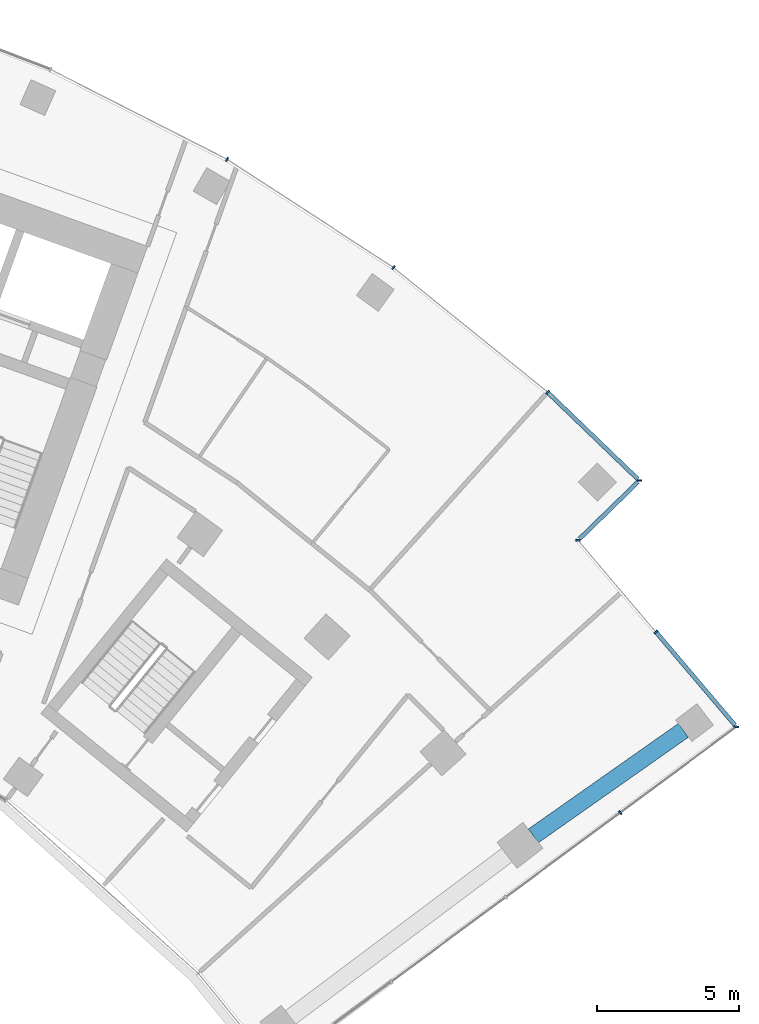
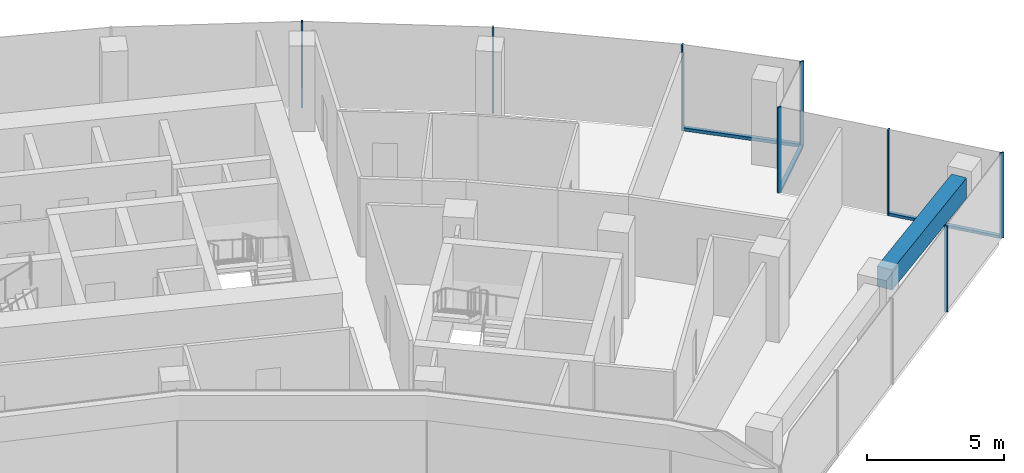
# One storey, part 8 of 19: 11 members, 1 beam, 4 elements without a shape of their own.
"""IFC4 building model written with IfcOpenShell, lengths in metres."""

from ifc_helpers import new_model, si_unit, direction, frame, origin, origin_2d, place, context, subcontext, project, spatial, rectangle, extrude, material, layer, layer_set, material_profile, profile_set, type_object, element, aggregate, save


model = new_model("IFC4")

# Units and contexts
model_context = context("Model", 3, precision=1e-05, world=origin(), true_north=direction((0.0, 1.0)))
body_context = subcontext(model_context, "Body", "Model", "MODEL_VIEW")
ifc_project = project(units=[si_unit("LENGTHUNIT", "METRE"), si_unit("AREAUNIT", "SQUARE_METRE"), si_unit("VOLUMEUNIT", "CUBIC_METRE"), si_unit("PLANEANGLEUNIT", "RADIAN"), si_unit("MASSUNIT", "GRAM", prefix="KILO")], contexts=[model_context])

# Site, building, storey
site_placement = place(None, origin())
site = spatial("IfcSite", under=ifc_project, at=site_placement, CompositionType="ELEMENT")
building_placement = place(site_placement, origin())
building = spatial("IfcBuilding", under=site, at=building_placement, Name="Stone Belt Terrace Tower", CompositionType="ELEMENT")
storey_placement = place(building_placement, frame((0.0, 0.0, 227.60009765625)))
storey = spatial("IfcBuildingStorey", under=building, at=storey_placement, Name="L55", CompositionType="ELEMENT", Elevation=227.60009765625)

# Curtain wall, members
ifc_material_1 = material(Name="Aluminium 6063-T6 anodised frame", Category="aluminium")
ifc_layer_1 = layer(ifc_material_1, 0.14990234375)
ifc_layer_set_1 = layer_set([ifc_layer_1], Name="CW-A unitised convex-face curtain wall")
curtain_wall_type_1 = type_object("IfcCurtainWallType", Name="CW-A unitised convex-face curtain wall", PredefinedType="NOTDEFINED", material=ifc_layer_set_1)
curtain_wall_1_placement = place(storey_placement, origin())
curtain_wall_1 = element("IfcCurtainWall", 1, at=curtain_wall_1_placement, inside=storey, type_object=curtain_wall_type_1, Name="CW-A convex face L55", PredefinedType="NOTDEFINED")
ifc_material_profile_1 = material_profile(ifc_material_1, rectangle(XDim=0.14990234375, YDim=0.06005859375, at=origin_2d()), Name="Aluminium 6063-T6 60x150")
ifc_profile_set_1 = profile_set([ifc_material_profile_1], Name="Aluminium 6063-T6 anodised frame")
member_type_1 = type_object("IfcMemberType", Name="CW-A mullion 60 x 150", PredefinedType="MULLION", material=ifc_profile_set_1)
member_1_placement = place(storey_placement, frame((47.775390625, 46.369140625, 0.0), z_axis=(0.0, 0.0, 1.0), x_axis=(-0.999996264646, -0.002733257028, 0.0)))
member_1 = element("IfcMember", 2, at=member_1_placement, type_object=member_type_1, Name="CW-A mullion 1", PredefinedType="MULLION", context=body_context, shape_type="SweptSolid", body=[
    extrude(rectangle(XDim=0.14990234375, YDim=0.06005859375, at=origin_2d()), origin(), (0.0, 0.0, 1.0), 3.7998046875),
])
member_2_placement = place(storey_placement, frame((44.546875, 49.475341796875, 0.0), z_axis=(0.0, 0.0, 1.0), x_axis=(-0.661937409618, -0.749559114245, 0.0)))
member_2 = element("IfcMember", 3, at=member_2_placement, type_object=member_type_1, Name="CW-A mullion 2", PredefinedType="MULLION", context=body_context, shape_type="SweptSolid", body=[
    extrude(rectangle(XDim=0.14990234375, YDim=0.06005859375, at=origin_2d()), origin(), (0.0, 0.0, 1.0), 3.7998046875),
])
member_3_placement = place(storey_placement, frame((39.1318359375, 53.8603515625, 0.0), z_axis=(0.0, 0.0, 1.0), x_axis=(-0.587785252292, -0.809016994375, 0.0)))
member_3 = element("IfcMember", 4, at=member_3_placement, type_object=member_type_1, Name="CW-A mullion 3", PredefinedType="MULLION", context=body_context, shape_type="SweptSolid", body=[
    extrude(rectangle(XDim=0.14990234375, YDim=0.06005859375, at=origin_2d()), origin(), (0.0, 0.0, 1.0), 3.7998046875),
])
member_4_placement = place(storey_placement, frame((33.28759765625, 57.65576171875, 0.0), z_axis=(0.0, 0.0, 1.0), x_axis=(-0.5, -0.866025403784, 0.0)))
member_4 = element("IfcMember", 5, at=member_4_placement, type_object=member_type_1, Name="CW-A mullion 4", PredefinedType="MULLION", context=body_context, shape_type="SweptSolid", body=[
    extrude(rectangle(XDim=0.14990234375, YDim=0.06005859375, at=origin_2d()), origin(), (0.0, 0.0, 1.0), 3.7998046875),
])
ifc_material_profile_2 = material_profile(ifc_material_1, rectangle(XDim=0.14990234375, YDim=0.139892578125, at=origin_2d()), Name="Aluminium 6063-T6 150x140")
ifc_profile_set_2 = profile_set([ifc_material_profile_2], Name="Aluminium 6063-T6 anodised frame")
member_type_2 = type_object("IfcMemberType", Name="CW-A transom 140 x 150", PredefinedType="USERDEFINED", material=ifc_profile_set_2)
member_5_placement = place(storey_placement, frame((47.721435546875, 46.4208984375, 0.06982421875), z_axis=(-0.720600183576, 0.693350831419, 0.0), x_axis=(-0.693350831419, -0.720600183576, 0.0)))
member_5 = element("IfcMember", 6, at=member_5_placement, type_object=member_type_2, Name="CW-A transom 1.1", ObjectType="TRANSOM", PredefinedType="USERDEFINED", context=body_context, shape_type="SweptSolid", body=[
    extrude(rectangle(XDim=0.14990234375, YDim=0.139892578125, at=origin_2d()), origin(), (0.0, 0.0, 1.0), 4.372314453125),
])
aggregate(curtain_wall_1, [member_1, member_2, member_3, member_4, member_5])

# Curtain wall, member
ifc_layer_2 = layer(ifc_material_1, 0.14990234375)
ifc_layer_set_2 = layer_set([ifc_layer_2], Name="CW-C stick curtain wall, horn ends and notches")
curtain_wall_type_2 = type_object("IfcCurtainWallType", Name="CW-C stick curtain wall, horn ends and notches", PredefinedType="NOTDEFINED", material=ifc_layer_set_2)
curtain_wall_2_placement = place(storey_placement, origin())
curtain_wall_2 = element("IfcCurtainWall", 7, at=curtain_wall_2_placement, inside=storey, type_object=curtain_wall_type_2, Name="CW-C end face L55", PredefinedType="NOTDEFINED")
ifc_material_profile_3 = material_profile(ifc_material_1, rectangle(XDim=0.14990234375, YDim=0.06005859375, at=origin_2d()), Name="Aluminium 6063-T6 60x150")
ifc_profile_set_3 = profile_set([ifc_material_profile_3], Name="Aluminium 6063-T6 anodised frame")
member_type_3 = type_object("IfcMemberType", Name="CW-C mullion 60 x 150", PredefinedType="MULLION", material=ifc_profile_set_3)
member_6_placement = place(storey_placement, frame((47.097900390625, 34.699462890625, 0.0), z_axis=(0.0, 0.0, 1.0), x_axis=(-0.594184091865, 0.804329077539, 0.0)))
member_6 = element("IfcMember", 8, at=member_6_placement, type_object=member_type_3, Name="CW-C mullion 4", PredefinedType="MULLION", context=body_context, shape_type="SweptSolid", body=[
    extrude(rectangle(XDim=0.14990234375, YDim=0.06005859375, at=origin_2d()), origin(), (0.0, 0.0, 1.0), 3.7998046875),
])
aggregate(curtain_wall_2, [member_6])

# Curtain wall, members
curtain_wall_3_placement = place(storey_placement, origin())
curtain_wall_3 = element("IfcCurtainWall", 9, at=curtain_wall_3_placement, inside=storey, type_object=curtain_wall_type_2, Name="CW-C notch face L55", PredefinedType="NOTDEFINED")
member_7_placement = place(storey_placement, frame((51.18408203125, 37.718017578125, 0.0), z_axis=(0.0, 0.0, 1.0), x_axis=(-0.993358853918, 0.115057321987, 0.0)))
member_7 = element("IfcMember", 10, at=member_7_placement, type_object=member_type_3, Name="CW-C mullion 1", PredefinedType="MULLION", context=body_context, shape_type="SweptSolid", body=[
    extrude(rectangle(XDim=0.14990234375, YDim=0.06005859375, at=origin_2d()), origin(), (0.0, 0.0, 1.0), 3.7998046875),
])
member_8_placement = place(storey_placement, frame((48.35302734375, 41.052490234375, 0.0), z_axis=(0.0, 0.0, 1.0), x_axis=(-0.762310954743, -0.647210945735, 0.0)))
member_8 = element("IfcMember", 11, at=member_8_placement, type_object=member_type_3, Name="CW-C mullion 2", PredefinedType="MULLION", context=body_context, shape_type="SweptSolid", body=[
    extrude(rectangle(XDim=0.14990234375, YDim=0.06005859375, at=origin_2d()), origin(), (0.0, 0.0, 1.0), 3.7998046875),
])

# Curtain wall, member
curtain_wall_4_placement = place(storey_placement, origin())
curtain_wall_4 = element("IfcCurtainWall", 12, at=curtain_wall_4_placement, inside=storey, type_object=curtain_wall_type_2, Name="CW-C notch face L55", PredefinedType="NOTDEFINED")
member_9_placement = place(storey_placement, frame((45.61962890625, 44.27197265625, 0.0), z_axis=(0.0, 0.0, 1.0), x_axis=(-0.998865261612, 0.047625509398, 0.0)))
member_9 = element("IfcMember", 13, at=member_9_placement, type_object=member_type_3, Name="CW-C mullion 1", PredefinedType="MULLION", context=body_context, shape_type="SweptSolid", body=[
    extrude(rectangle(XDim=0.14990234375, YDim=0.06005859375, at=origin_2d()), origin(), (0.0, 0.0, 1.0), 3.7998046875),
])

# Member
ifc_material_profile_4 = material_profile(ifc_material_1, rectangle(XDim=0.14990234375, YDim=0.1201171875, at=origin_2d()), Name="Aluminium 6063-T6 150x120")
ifc_profile_set_4 = profile_set([ifc_material_profile_4], Name="Aluminium 6063-T6 anodised frame")
member_type_4 = type_object("IfcMemberType", Name="CW-C transom 120 x 150", PredefinedType="USERDEFINED", material=ifc_profile_set_4)
member_10_placement = place(storey_placement, frame((51.13525390625, 37.775390625, 0.059814453125), z_axis=(-0.647195078608, 0.762324425836, 0.0), x_axis=(-0.762324425836, -0.647195078608, 0.0)))
member_10 = element("IfcMember", 14, at=member_10_placement, type_object=member_type_4, Name="CW-C transom 1.1", ObjectType="TRANSOM", PredefinedType="USERDEFINED", context=body_context, shape_type="SweptSolid", body=[
    extrude(rectangle(XDim=0.14990234375, YDim=0.1201171875, at=origin_2d()), origin(), (0.0, 0.0, 1.0), 4.268798828125),
])

aggregate(curtain_wall_3, [member_7, member_8, member_10])

member_11_placement = place(storey_placement, frame((45.671875, 44.322998046875, 0.059814453125), z_axis=(0.716814728684, 0.697263683797, 0.0), x_axis=(-0.697263683797, 0.716814728684, 0.0)))
member_11 = element("IfcMember", 15, at=member_11_placement, type_object=member_type_4, Name="CW-C transom 1.1", ObjectType="TRANSOM", PredefinedType="USERDEFINED", context=body_context, shape_type="SweptSolid", body=[
    extrude(rectangle(XDim=0.14990234375, YDim=0.1201171875, at=origin_2d()), origin(), (0.0, 0.0, 1.0), 2.859619140625),
])

aggregate(curtain_wall_4, [member_9, member_11])

# Beam
ifc_material_2 = material(Name="Concrete B60", Category="concrete")
ifc_material_profile_5 = material_profile(ifc_material_2, rectangle(XDim=0.60009765625, YDim=0.89990234375, at=origin_2d()), Name="RC 600x900")
ifc_profile_set_5 = profile_set([ifc_material_profile_5], Name="Concrete B60")
beam_type = type_object("IfcBeamType", Name="Edge beam RC 600x900 B60", PredefinedType="SPANDREL", material=ifc_profile_set_5)
beam_placement = place(storey_placement, frame((44.049560546875, 33.885498046875, 3.02978515625), z_axis=(0.817996569297, 0.575223098126, 0.0), x_axis=(-0.575223098126, 0.817996569297, 0.0)))
element("IfcBeam", 16, at=beam_placement, inside=storey, type_object=beam_type, Name="Edge beam L55 B Q to R", PredefinedType="SPANDREL", context=body_context, shape_type="SweptSolid", body=[
    extrude(rectangle(XDim=0.60009765625, YDim=0.89990234375, at=origin_2d()), origin(), (0.0, 0.0, 1.0), 6.444091796875),
])

save(model, "model.ifc")
